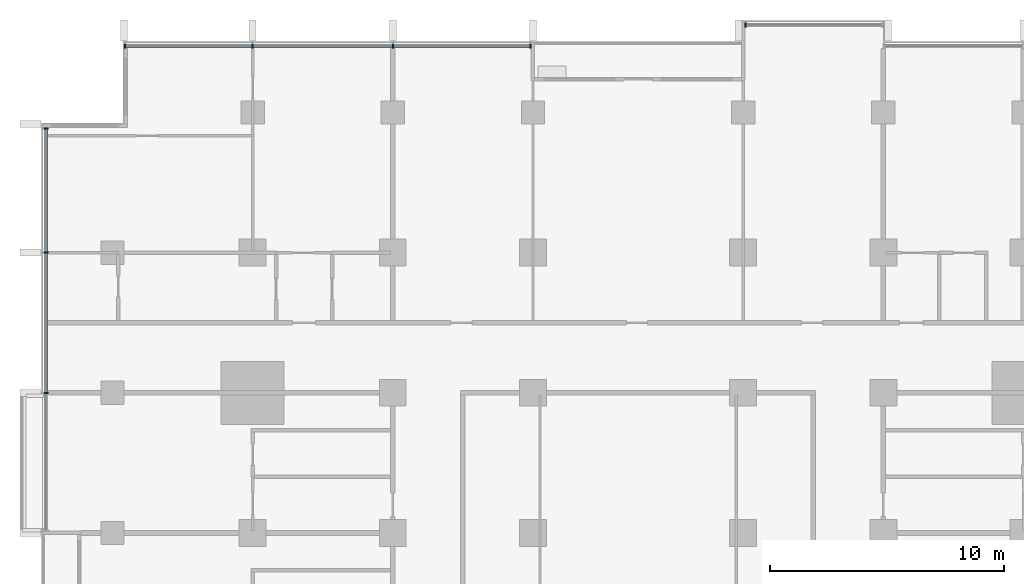
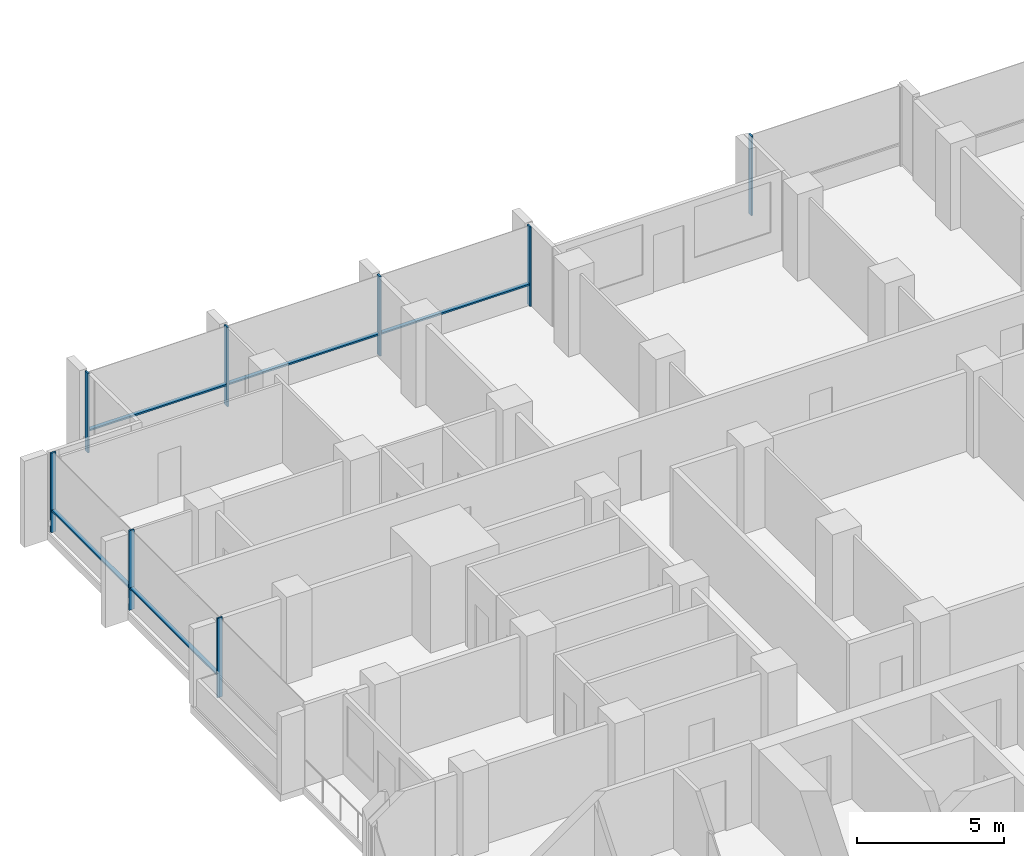
# One storey, part 4 of 17: 13 members, 3 elements without a shape of their own.
"""IFC4 building model written with IfcOpenShell, lengths in metres."""

from ifc_helpers import new_model, si_unit, direction, frame, origin, origin_2d, place, context, subcontext, project, spatial, rectangle, extrude, material, material_profile, profile_set, type_object, element, aggregate, save


model = new_model("IFC4")

# Units and contexts
model_context = context("Model", 3, precision=1e-05, world=origin(), true_north=direction((0.0, 1.0)))
body_context = subcontext(model_context, "Body", "Model", "MODEL_VIEW")
ifc_project = project(units=[si_unit("LENGTHUNIT", "METRE"), si_unit("AREAUNIT", "SQUARE_METRE"), si_unit("VOLUMEUNIT", "CUBIC_METRE"), si_unit("PLANEANGLEUNIT", "RADIAN"), si_unit("MASSUNIT", "GRAM", prefix="KILO")], contexts=[model_context])

# Site, building, storey
site_placement = place(None, origin())
site = spatial("IfcSite", under=ifc_project, at=site_placement, CompositionType="ELEMENT")
building_placement = place(site_placement, origin())
building = spatial("IfcBuilding", under=site, at=building_placement, Name="Finial Court Residences", CompositionType="ELEMENT")
storey_placement = place(building_placement, frame((0.0, 0.0, 113.5)))
storey = spatial("IfcBuildingStorey", under=building, at=storey_placement, Name="L28", CompositionType="ELEMENT", Elevation=113.5)

# Curtain wall, members
ifc_material = material(Name="Bronze anodised aluminium", Category="aluminium")
curtain_wall_type = type_object("IfcCurtainWallType", Name="Unitised curtain wall, lower and middle zones", PredefinedType="NOTDEFINED", material=ifc_material)
curtain_wall_1_placement = place(storey_placement, origin())
curtain_wall_1 = element("IfcCurtainWall", 1, at=curtain_wall_1_placement, inside=storey, type_object=curtain_wall_type, Name="E-L28-CW-N1", PredefinedType="NOTDEFINED")
ifc_material_profile_1 = material_profile(ifc_material, rectangle(XDim=0.199951171875, YDim=0.06494140625, at=origin_2d()), Name="CW1 mullion 65 x 200")
ifc_profile_set_1 = profile_set([ifc_material_profile_1], Name="Bronze anodised aluminium")
member_type_1 = type_object("IfcMemberType", Name="CW1 mullion 65 x 200", PredefinedType="MULLION", material=ifc_profile_set_1)
member_1_placement = place(storey_placement, frame((-21.967529296875, 22.35009765625, 0.0), z_axis=(0.0, 0.0, 1.0), x_axis=(0.0, 1.0, 0.0)))
member_1 = element("IfcMember", 2, at=member_1_placement, type_object=member_type_1, Name="CW1 mullion 1", PredefinedType="MULLION", context=body_context, shape_type="SweptSolid", body=[
    extrude(rectangle(XDim=0.199951171875, YDim=0.06494140625, at=origin_2d()), origin(), (0.0, 0.0, 1.0), 3.300048828125),
])
member_2_placement = place(storey_placement, frame((-16.5, 22.35009765625, 0.0), z_axis=(0.0, 0.0, 1.0), x_axis=(0.0, 1.0, 0.0)))
member_2 = element("IfcMember", 3, at=member_2_placement, type_object=member_type_1, Name="CW1 mullion 2", PredefinedType="MULLION", context=body_context, shape_type="SweptSolid", body=[
    extrude(rectangle(XDim=0.199951171875, YDim=0.06494140625, at=origin_2d()), origin(), (0.0, 0.0, 1.0), 3.300048828125),
])
member_3_placement = place(storey_placement, frame((-10.5, 22.35009765625, 0.0), z_axis=(0.0, 0.0, 1.0), x_axis=(0.0, 1.0, 0.0)))
member_3 = element("IfcMember", 4, at=member_3_placement, type_object=member_type_1, Name="CW1 mullion 3", PredefinedType="MULLION", context=body_context, shape_type="SweptSolid", body=[
    extrude(rectangle(XDim=0.199951171875, YDim=0.06494140625, at=origin_2d()), origin(), (0.0, 0.0, 1.0), 3.300048828125),
])
member_4_placement = place(storey_placement, frame((-4.607421875, 22.35009765625, 0.0), z_axis=(0.0, 0.0, 1.0), x_axis=(0.0, 1.0, 0.0)))
member_4 = element("IfcMember", 5, at=member_4_placement, type_object=member_type_1, Name="CW1 mullion 4", PredefinedType="MULLION", context=body_context, shape_type="SweptSolid", body=[
    extrude(rectangle(XDim=0.199951171875, YDim=0.06494140625, at=origin_2d()), origin(), (0.0, 0.0, 1.0), 3.300048828125),
])

# Curtain wall, member
curtain_wall_2_placement = place(storey_placement, origin())
curtain_wall_2 = element("IfcCurtainWall", 6, at=curtain_wall_2_placement, inside=storey, type_object=curtain_wall_type, Name="E-L28-CW-N2", PredefinedType="NOTDEFINED")
member_5_placement = place(storey_placement, frame((4.607421875, 23.25, 0.0), z_axis=(0.0, 0.0, 1.0), x_axis=(0.0, 1.0, 0.0)))
member_5 = element("IfcMember", 7, at=member_5_placement, type_object=member_type_1, Name="CW1 mullion 1", PredefinedType="MULLION", context=body_context, shape_type="SweptSolid", body=[
    extrude(rectangle(XDim=0.199951171875, YDim=0.06494140625, at=origin_2d()), origin(), (0.0, 0.0, 1.0), 3.300048828125),
])
aggregate(curtain_wall_2, [member_5])

# Curtain wall, members
curtain_wall_3_placement = place(storey_placement, origin())
curtain_wall_3 = element("IfcCurtainWall", 8, at=curtain_wall_3_placement, inside=storey, type_object=curtain_wall_type, Name="E-L28-CW-W12", PredefinedType="NOTDEFINED")
member_6_placement = place(storey_placement, frame((-25.35009765625, 7.5, 0.0), z_axis=(0.0, 0.0, 1.0), x_axis=(-1.0, 0.0, 0.0)))
member_6 = element("IfcMember", 9, at=member_6_placement, type_object=member_type_1, Name="CW1 mullion 2", PredefinedType="MULLION", context=body_context, shape_type="SweptSolid", body=[
    extrude(rectangle(XDim=0.199951171875, YDim=0.06494140625, at=origin_2d()), origin(), (0.0, 0.0, 1.0), 3.300048828125),
])
member_7_placement = place(storey_placement, frame((-25.35009765625, 13.5, 0.0), z_axis=(0.0, 0.0, 1.0), x_axis=(-1.0, 0.0, 0.0)))
member_7 = element("IfcMember", 10, at=member_7_placement, type_object=member_type_1, Name="CW1 mullion 3", PredefinedType="MULLION", context=body_context, shape_type="SweptSolid", body=[
    extrude(rectangle(XDim=0.199951171875, YDim=0.06494140625, at=origin_2d()), origin(), (0.0, 0.0, 1.0), 3.300048828125),
])
member_8_placement = place(storey_placement, frame((-25.35009765625, 18.8173828125, 0.0), z_axis=(0.0, 0.0, 1.0), x_axis=(-1.0, 0.0, 0.0)))
member_8 = element("IfcMember", 11, at=member_8_placement, type_object=member_type_1, Name="CW1 mullion 4", PredefinedType="MULLION", context=body_context, shape_type="SweptSolid", body=[
    extrude(rectangle(XDim=0.199951171875, YDim=0.06494140625, at=origin_2d()), origin(), (0.0, 0.0, 1.0), 3.300048828125),
])

# Member
ifc_material_profile_2 = material_profile(ifc_material, rectangle(XDim=0.14990234375, YDim=0.06494140625, at=origin_2d()), Name="CW1 transom 65 x 150")
ifc_profile_set_2 = profile_set([ifc_material_profile_2], Name="Bronze anodised aluminium")
member_type_2 = type_object("IfcMemberType", Name="CW1 transom 65 x 150", PredefinedType="USERDEFINED", material=ifc_profile_set_2)
member_9_placement = place(storey_placement, frame((-21.93505859375, 22.35009765625, 0.89990234375), z_axis=(1.0, 0.0, 0.0), x_axis=(0.0, 1.0, 0.0)))
member_9 = element("IfcMember", 12, at=member_9_placement, type_object=member_type_2, Name="CW1 transom 1.1", ObjectType="TRANSOM", PredefinedType="USERDEFINED", context=body_context, shape_type="SweptSolid", body=[
    extrude(rectangle(XDim=0.14990234375, YDim=0.06494140625, at=origin_2d()), origin(), (0.0, 0.0, 1.0), 5.402587890625),
])

member_10_placement = place(storey_placement, frame((-16.467529296875, 22.35009765625, 0.89990234375), z_axis=(1.0, 0.0, 0.0), x_axis=(0.0, 1.0, 0.0)))
member_10 = element("IfcMember", 13, at=member_10_placement, type_object=member_type_2, Name="CW1 transom 2.1", ObjectType="TRANSOM", PredefinedType="USERDEFINED", context=body_context, shape_type="SweptSolid", body=[
    extrude(rectangle(XDim=0.14990234375, YDim=0.06494140625, at=origin_2d()), origin(), (0.0, 0.0, 1.0), 5.93505859375),
])

member_11_placement = place(storey_placement, frame((-10.467529296875, 22.35009765625, 0.89990234375), z_axis=(1.0, 0.0, 0.0), x_axis=(0.0, 1.0, 0.0)))
member_11 = element("IfcMember", 14, at=member_11_placement, type_object=member_type_2, Name="CW1 transom 3.1", ObjectType="TRANSOM", PredefinedType="USERDEFINED", context=body_context, shape_type="SweptSolid", body=[
    extrude(rectangle(XDim=0.14990234375, YDim=0.06494140625, at=origin_2d()), origin(), (0.0, 0.0, 1.0), 5.82763671875),
])

aggregate(curtain_wall_1, [member_1, member_2, member_3, member_4, member_9, member_10, member_11])

member_12_placement = place(storey_placement, frame((-25.35009765625, 7.532470703125, 0.89990234375), z_axis=(0.0, 1.0, 0.0), x_axis=(-1.0, 0.0, 0.0)))
member_12 = element("IfcMember", 15, at=member_12_placement, type_object=member_type_2, Name="CW1 transom 2.1", ObjectType="TRANSOM", PredefinedType="USERDEFINED", context=body_context, shape_type="SweptSolid", body=[
    extrude(rectangle(XDim=0.14990234375, YDim=0.06494140625, at=origin_2d()), origin(), (0.0, 0.0, 1.0), 5.93505859375),
])

member_13_placement = place(storey_placement, frame((-25.35009765625, 13.532470703125, 0.89990234375), z_axis=(0.0, 1.0, 0.0), x_axis=(-1.0, 0.0, 0.0)))
member_13 = element("IfcMember", 16, at=member_13_placement, type_object=member_type_2, Name="CW1 transom 3.1", ObjectType="TRANSOM", PredefinedType="USERDEFINED", context=body_context, shape_type="SweptSolid", body=[
    extrude(rectangle(XDim=0.14990234375, YDim=0.06494140625, at=origin_2d()), origin(), (0.0, 0.0, 1.0), 5.25244140625),
])

aggregate(curtain_wall_3, [member_6, member_7, member_8, member_12, member_13])

save(model, "model.ifc")
